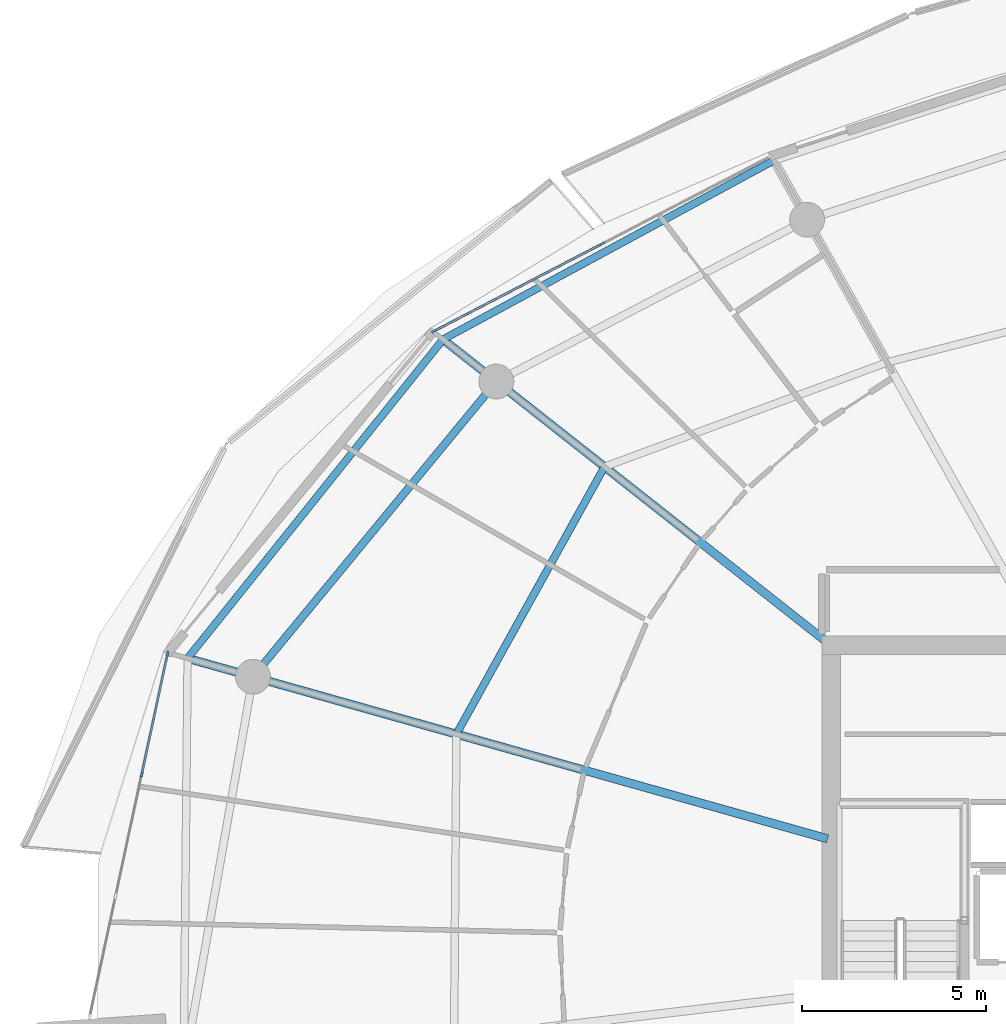
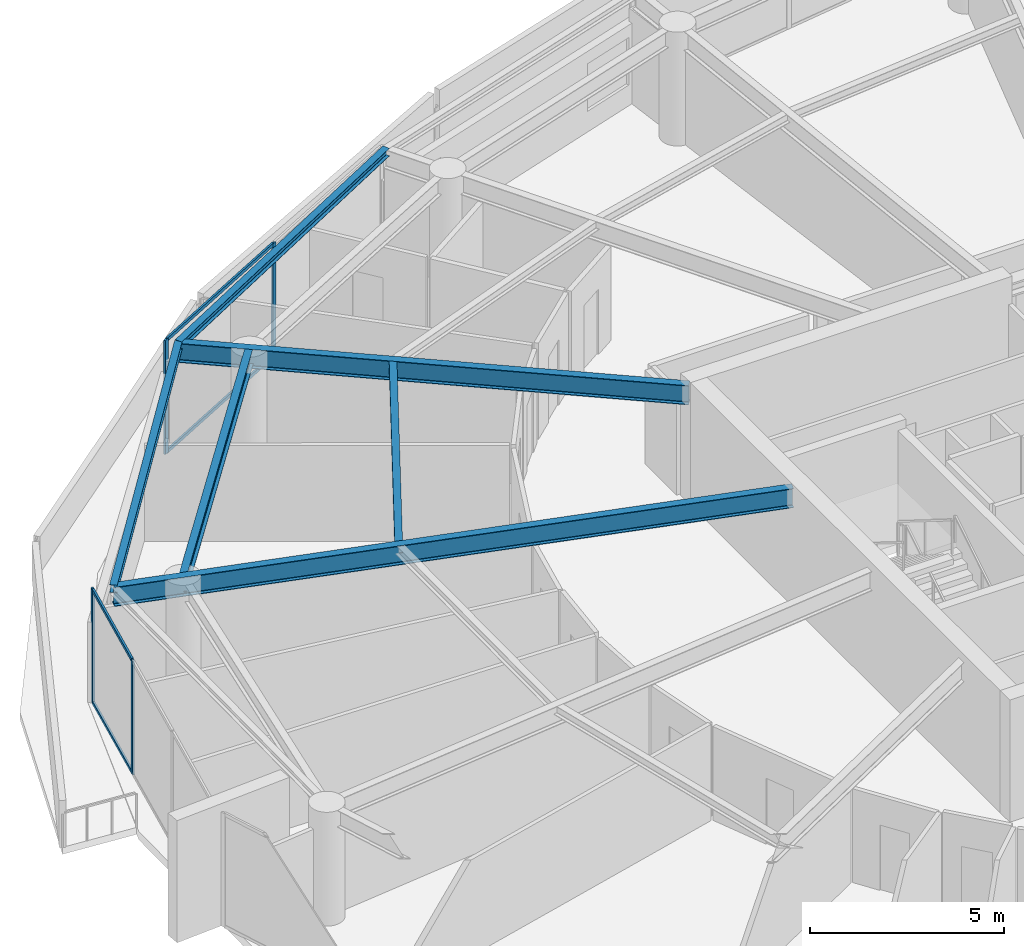
# One storey, part 11 of 29: 8 members, 6 beams, 2 elements without a shape of their own.
"""IFC4 building model written with IfcOpenShell, lengths in metres."""

from ifc_helpers import new_model, si_unit, direction, frame, origin, origin_2d, place, context, subcontext, project, spatial, rectangle, i_section, extrude, material, layer, layer_set, material_profile, profile_set, type_object, element, aggregate, save


model = new_model("IFC4")

# Units and contexts
model_context = context("Model", 3, precision=1e-05, world=origin(), true_north=direction((0.0, 1.0)))
body_context = subcontext(model_context, "Body", "Model", "MODEL_VIEW")
ifc_project = project(units=[si_unit("LENGTHUNIT", "METRE"), si_unit("AREAUNIT", "SQUARE_METRE"), si_unit("VOLUMEUNIT", "CUBIC_METRE"), si_unit("PLANEANGLEUNIT", "RADIAN"), si_unit("MASSUNIT", "GRAM", prefix="KILO")], contexts=[model_context])

# Site, building, storey
site_placement = place(None, origin())
site = spatial("IfcSite", under=ifc_project, at=site_placement, CompositionType="ELEMENT")
building_placement = place(site_placement, origin())
building = spatial("IfcBuilding", under=site, at=building_placement, Name="Kazma Halo Residences", CompositionType="ELEMENT")
storey_placement = place(building_placement, frame((0.0, 0.0, 282.89990234375)))
storey = spatial("IfcBuildingStorey", under=building, at=storey_placement, Name="L71", CompositionType="ELEMENT", Elevation=282.89990234375)

# Beams
ifc_material_1 = material(Name="Steel S355", Category="steel")
ifc_material_profile_1 = material_profile(ifc_material_1, i_section(OverallWidth=0.201904296875, OverallDepth=0.2470703125, WebThickness=0.00732421875, FlangeThickness=0.010986328125, FilletRadius=0.011962890625, at=origin_2d()), Name="W250x49.1")
ifc_profile_set_1 = profile_set([ifc_material_profile_1], Name="Steel S355")
beam_type_1 = type_object("IfcBeamType", Name="BM-BAL-CANT", PredefinedType="BEAM", material=ifc_profile_set_1)
beam_1_placement = place(storey_placement, frame((35.990478515625, 63.444580078125, 3.466552734375), z_axis=(-0.879517282036, -0.475866946321, 0.0), x_axis=(0.475866946321, -0.879517282036, 0.0)))
element("IfcBeam", 1, at=beam_1_placement, inside=storey, type_object=beam_type_1, Name="L71 wave-balcony tie beam 05", PredefinedType="BEAM", context=body_context, shape_type="SweptSolid", body=[
    extrude(i_section(OverallWidth=0.201904296875, OverallDepth=0.2470703125, WebThickness=0.00732421875, FlangeThickness=0.010986328125, FilletRadius=0.011962890625, at=origin_2d()), origin(), (0.0, 0.0, 1.0), 10.243408203125),
])
beam_2_placement = place(storey_placement, frame((26.981201171875, 58.570068359375, 3.466552734375), z_axis=(-0.625117912406, -0.780530329705, 0.0), x_axis=(0.780530329705, -0.625117912406, 0.0)))
element("IfcBeam", 2, at=beam_2_placement, inside=storey, type_object=beam_type_1, Name="L71 wave-balcony tie beam 06", PredefinedType="BEAM", context=body_context, shape_type="SweptSolid", body=[
    extrude(i_section(OverallWidth=0.201904296875, OverallDepth=0.2470703125, WebThickness=0.00732421875, FlangeThickness=0.010986328125, FilletRadius=0.011962890625, at=origin_2d()), origin(), (0.0, 0.0, 1.0), 11.1220703125),
])
ifc_material_profile_2 = material_profile(ifc_material_1, i_section(OverallWidth=0.22802734375, OverallDepth=0.60791015625, WebThickness=0.01123046875, FlangeThickness=0.017333984375, FilletRadius=0.01806640625, at=origin_2d()), Name="W610x113")
ifc_profile_set_2 = profile_set([ifc_material_profile_2], Name="Steel S355")
beam_type_2 = type_object("IfcBeamType", Name="BM-RAD-W610", PredefinedType="BEAM", material=ifc_profile_set_2)
beam_3_placement = place(storey_placement, frame((37.449951171875, 50.31689453125, 3.2861328125), z_axis=(-0.785306836423, 0.619106753854, 0.0), x_axis=(-0.619106753854, -0.785306836423, 0.0)))
element("IfcBeam", 3, at=beam_3_placement, inside=storey, type_object=beam_type_2, Name="L71 radial floor beam 06", PredefinedType="BEAM", context=body_context, shape_type="SweptSolid", body=[
    extrude(i_section(OverallWidth=0.22802734375, OverallDepth=0.60791015625, WebThickness=0.01123046875, FlangeThickness=0.017333984375, FilletRadius=0.01806640625, at=origin_2d()), origin(), (0.0, 0.0, 1.0), 13.330810546875),
])
beam_4_placement = place(storey_placement, frame((37.449951171875, 44.975341796875, 3.2861328125), z_axis=(-0.962451844494, 0.271452476559, 0.0), x_axis=(-0.271452476559, -0.962451844494, 0.0)))
element("IfcBeam", 4, at=beam_4_placement, inside=storey, type_object=beam_type_2, Name="L71 radial floor beam 07", PredefinedType="BEAM", context=body_context, shape_type="SweptSolid", body=[
    extrude(i_section(OverallWidth=0.22802734375, OverallDepth=0.60791015625, WebThickness=0.01123046875, FlangeThickness=0.017333984375, FilletRadius=0.01806640625, at=origin_2d()), origin(), (0.0, 0.0, 1.0), 18.10107421875),
])
ifc_material_profile_3 = material_profile(ifc_material_1, i_section(OverallWidth=0.202880859375, OverallDepth=0.302978515625, WebThickness=0.007568359375, FlangeThickness=0.01318359375, FilletRadius=0.013916015625, at=origin_2d()), Name="W310x60")
ifc_profile_set_3 = profile_set([ifc_material_profile_3], Name="Steel S355")
beam_type_3 = type_object("IfcBeamType", Name="BM-SEC-W310A", PredefinedType="JOIST", material=ifc_profile_set_3)
beam_5_placement = place(storey_placement, frame((31.3779296875, 55.103759765625, 3.4384765625), z_axis=(-0.484616234235, -0.874726874811, 0.0), x_axis=(0.874726874811, -0.484616234235, 0.0)))
element("IfcBeam", 5, at=beam_5_placement, inside=storey, type_object=beam_type_3, Name="L71 circumferential floor joist 06", PredefinedType="JOIST", context=body_context, shape_type="SweptSolid", body=[
    extrude(i_section(OverallWidth=0.202880859375, OverallDepth=0.302978515625, WebThickness=0.007568359375, FlangeThickness=0.01318359375, FilletRadius=0.013916015625, at=origin_2d()), origin(), (0.0, 0.0, 1.0), 8.321044921875),
])
ifc_material_profile_4 = material_profile(ifc_material_1, i_section(OverallWidth=0.208984375, OverallDepth=0.532958984375, WebThickness=0.01025390625, FlangeThickness=0.015625, FilletRadius=0.01611328125, at=origin_2d()), Name="W530x92")
ifc_profile_set_4 = profile_set([ifc_material_profile_4], Name="Steel S355")
beam_type_4 = type_object("IfcBeamType", Name="BM-SPN-W530", PredefinedType="BEAM", material=ifc_profile_set_4)
beam_6_placement = place(storey_placement, frame((28.433837890625, 57.4248046875, 3.323486328125), z_axis=(-0.636002144225, -0.771687289348, 0.0), x_axis=(0.771687289348, -0.636002144225, 0.0)))
element("IfcBeam", 6, at=beam_6_placement, inside=storey, type_object=beam_type_4, Name="L71 perimeter ring beam 06", PredefinedType="BEAM", context=body_context, shape_type="SweptSolid", body=[
    extrude(i_section(OverallWidth=0.208984375, OverallDepth=0.532958984375, WebThickness=0.01025390625, FlangeThickness=0.015625, FilletRadius=0.01611328125, at=origin_2d()), origin(), (0.0, 0.0, 1.0), 10.416259765625),
])

# Curtain wall, members
ifc_material_2 = material(Name="Aluminium AW-6063 T6 and Triple-Silver Low-E Glass", Category="aluminium")
ifc_layer = layer(ifc_material_2, 0.139892578125)
ifc_layer_set = layer_set([ifc_layer], Name="Aluminium AW-6063 T6 and Triple-Silver Low-E Glass")
curtain_wall_type = type_object("IfcCurtainWallType", Name="CW-SYS-5", PredefinedType="NOTDEFINED", material=ifc_layer_set)
curtain_wall_1_placement = place(storey_placement, origin())
curtain_wall_1 = element("IfcCurtainWall", 7, at=curtain_wall_1_placement, inside=storey, type_object=curtain_wall_type, Name="L71 unitised curtain wall B05", PredefinedType="NOTDEFINED")
ifc_material_3 = material(Name="Aluminium AW-6063 T6", Category="aluminium")
ifc_material_profile_5 = material_profile(ifc_material_3, rectangle(XDim=0.06005859375, YDim=0.139892578125, at=origin_2d()), Name="CWM-60x140")
ifc_profile_set_5 = profile_set([ifc_material_profile_5], Name="Aluminium AW-6063 T6")
member_type_1 = type_object("IfcMemberType", Name="CW-SYS-5-MUL", PredefinedType="MULLION", material=ifc_profile_set_5)
member_1_placement = place(storey_placement, frame((31.31591796875, 61.175537109375, 0.0), z_axis=(0.0, 0.0, 1.0), x_axis=(0.460960760804, -0.887420518694, 0.0)))
member_1 = element("IfcMember", 8, at=member_1_placement, type_object=member_type_1, Name="CWS-5 mullion 2", PredefinedType="MULLION", context=body_context, shape_type="SweptSolid", body=[
    extrude(rectangle(XDim=0.06005859375, YDim=0.139892578125, at=origin_2d()), origin(), (0.0, 0.0, 1.0), 3.590087890625),
])
member_2_placement = place(storey_placement, frame((26.737060546875, 58.797119140625, 0.0), z_axis=(0.0, 0.0, 1.0), x_axis=(0.460960760804, -0.887420518694, 0.0)))
member_2 = element("IfcMember", 9, at=member_2_placement, type_object=member_type_1, Name="CWS-5 mullion 3", PredefinedType="MULLION", context=body_context, shape_type="SweptSolid", body=[
    extrude(rectangle(XDim=0.06005859375, YDim=0.139892578125, at=origin_2d()), origin(), (0.0, 0.0, 1.0), 3.590087890625),
])

curtain_wall_2_placement = place(storey_placement, origin())
curtain_wall_2 = element("IfcCurtainWall", 10, at=curtain_wall_2_placement, inside=storey, type_object=curtain_wall_type, Name="L71 unitised curtain wall B07", PredefinedType="NOTDEFINED")
member_3_placement = place(storey_placement, frame((19.485107421875, 50.010986328125, 0.0), z_axis=(0.0, 0.0, 1.0), x_axis=(0.97777491373, -0.209657382603, 0.0)))
member_3 = element("IfcMember", 11, at=member_3_placement, type_object=member_type_1, Name="CWS-5 mullion 1", PredefinedType="MULLION", context=body_context, shape_type="SweptSolid", body=[
    extrude(rectangle(XDim=0.06005859375, YDim=0.139892578125, at=origin_2d()), origin(), (0.0, 0.0, 1.0), 3.590087890625),
])
member_4_placement = place(storey_placement, frame((18.781005859375, 46.7265625, 0.0), z_axis=(0.0, 0.0, 1.0), x_axis=(0.97777491373, -0.209657382603, 0.0)))
member_4 = element("IfcMember", 12, at=member_4_placement, type_object=member_type_1, Name="CWS-5 mullion 2", PredefinedType="MULLION", context=body_context, shape_type="SweptSolid", body=[
    extrude(rectangle(XDim=0.06005859375, YDim=0.139892578125, at=origin_2d()), origin(), (0.0, 0.0, 1.0), 3.590087890625),
])

# Member
ifc_material_profile_6 = material_profile(ifc_material_3, rectangle(XDim=0.06005859375, YDim=0.10498046875, at=origin_2d()), Name="CWT-60x105")
ifc_profile_set_6 = profile_set([ifc_material_profile_6], Name="Aluminium AW-6063 T6")
member_type_2 = type_object("IfcMemberType", Name="CW-SYS-5-TRN", PredefinedType="USERDEFINED", material=ifc_profile_set_6)
member_5_placement = place(storey_placement, frame((31.289306640625, 61.16162109375, 0.030029296875), z_axis=(-0.887436955863, -0.46092911534, 0.0), x_axis=(0.46092911534, -0.887436955863, 0.0)))
member_5 = element("IfcMember", 13, at=member_5_placement, type_object=member_type_2, Name="CWS-5 transom 2.1", ObjectType="TRANSOM", PredefinedType="USERDEFINED", context=body_context, shape_type="SweptSolid", body=[
    extrude(rectangle(XDim=0.06005859375, YDim=0.10498046875, at=origin_2d()), origin(), (0.0, 0.0, 1.0), 5.099609375),
])

member_6_placement = place(storey_placement, frame((31.289306640625, 61.16162109375, 3.56005859375), z_axis=(-0.887436955863, -0.46092911534, 0.0), x_axis=(0.46092911534, -0.887436955863, 0.0)))
member_6 = element("IfcMember", 14, at=member_6_placement, type_object=member_type_2, Name="CWS-5 transom 2.2", ObjectType="TRANSOM", PredefinedType="USERDEFINED", context=body_context, shape_type="SweptSolid", body=[
    extrude(rectangle(XDim=0.06005859375, YDim=0.10498046875, at=origin_2d()), origin(), (0.0, 0.0, 1.0), 5.099609375),
])

aggregate(curtain_wall_1, [member_1, member_2, member_5, member_6])

member_7_placement = place(storey_placement, frame((19.47900390625, 49.9814453125, 0.030029296875), z_axis=(-0.209660493552, -0.977774246666, 0.0), x_axis=(0.977774246666, -0.209660493552, 0.0)))
member_7 = element("IfcMember", 15, at=member_7_placement, type_object=member_type_2, Name="CWS-5 transom 1.1", ObjectType="TRANSOM", PredefinedType="USERDEFINED", context=body_context, shape_type="SweptSolid", body=[
    extrude(rectangle(XDim=0.06005859375, YDim=0.10498046875, at=origin_2d()), origin(), (0.0, 0.0, 1.0), 3.298828125),
])

member_8_placement = place(storey_placement, frame((19.47900390625, 49.9814453125, 3.56005859375), z_axis=(-0.209660493552, -0.977774246666, 0.0), x_axis=(0.977774246666, -0.209660493552, 0.0)))
member_8 = element("IfcMember", 16, at=member_8_placement, type_object=member_type_2, Name="CWS-5 transom 1.2", ObjectType="TRANSOM", PredefinedType="USERDEFINED", context=body_context, shape_type="SweptSolid", body=[
    extrude(rectangle(XDim=0.06005859375, YDim=0.10498046875, at=origin_2d()), origin(), (0.0, 0.0, 1.0), 3.298828125),
])

aggregate(curtain_wall_2, [member_3, member_4, member_7, member_8])

save(model, "model.ifc")
